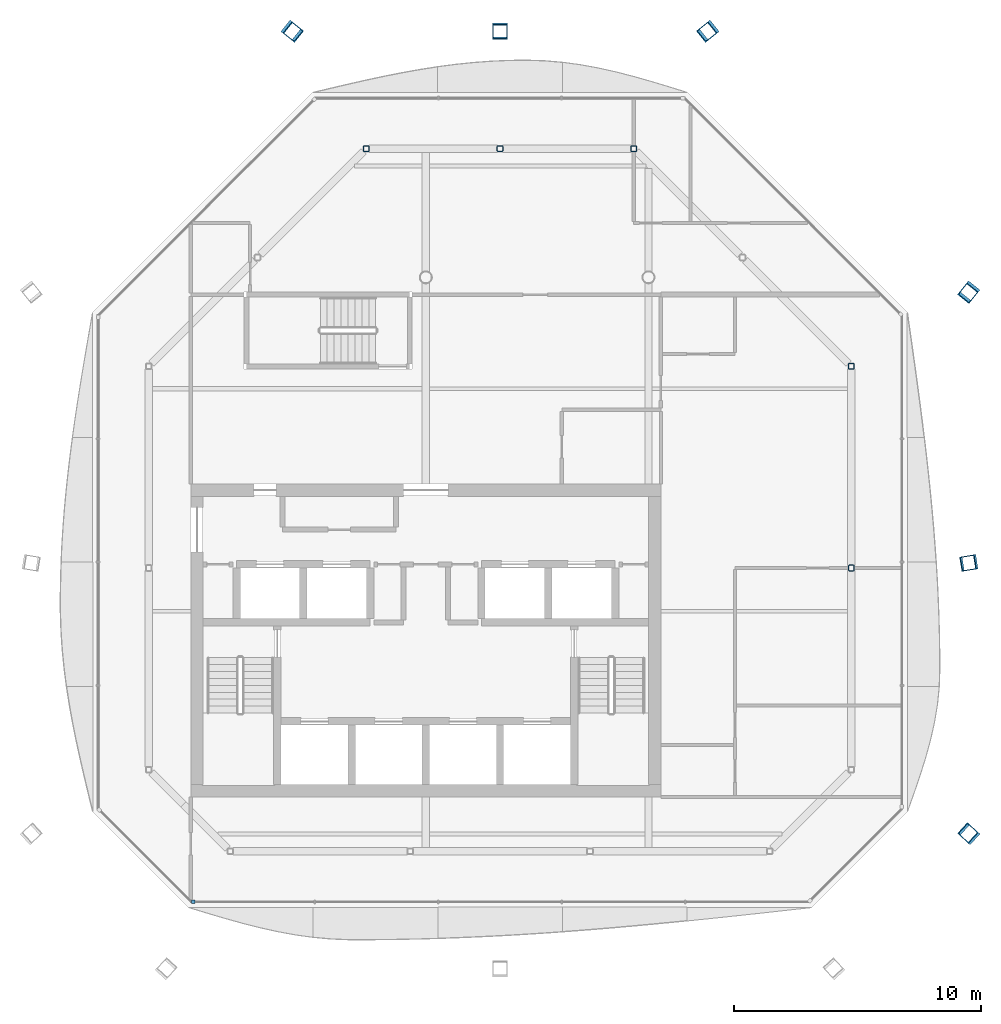
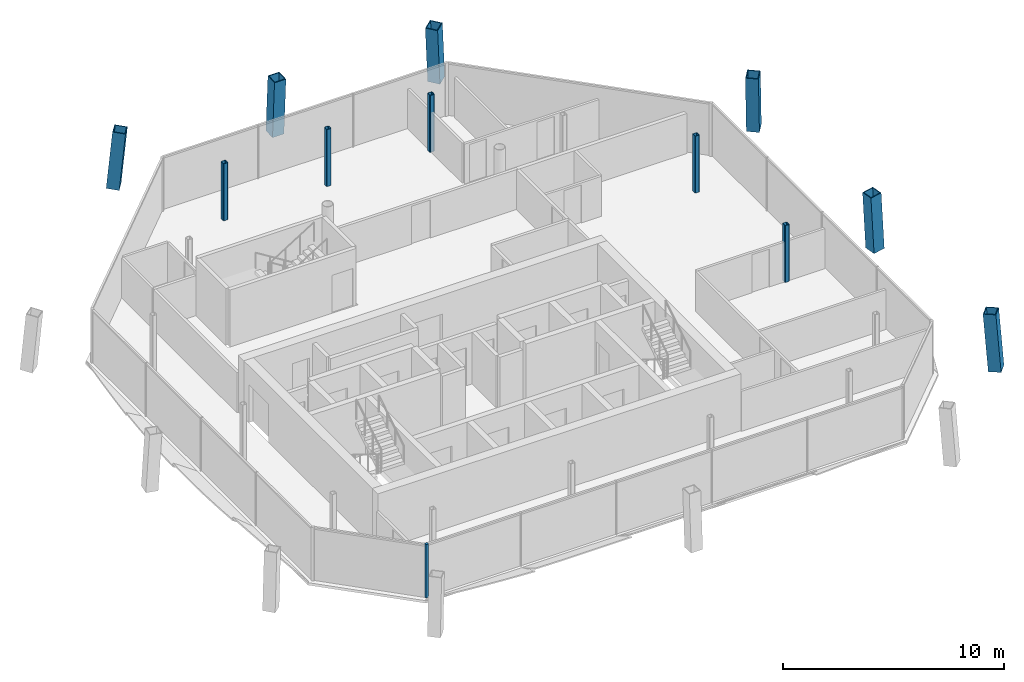
# One storey, part 2 of 14: 11 columns, 1 member, 1 element without a shape of its own.
"""IFC4 building model written with IfcOpenShell, lengths in metres."""

from ifc_helpers import new_model, si_unit, direction, frame, origin, origin_2d, place, context, subcontext, project, spatial, rectangle, hollow_rectangle, extrude, material, material_profile, profile_set, type_object, element, aggregate, save


model = new_model("IFC4")

# Units and contexts
model_context = context("Model", 3, precision=1e-05, world=origin(), true_north=direction((0.0, 1.0)))
body_context = subcontext(model_context, "Body", "Model", "MODEL_VIEW")
ifc_project = project(units=[si_unit("LENGTHUNIT", "METRE"), si_unit("AREAUNIT", "SQUARE_METRE"), si_unit("VOLUMEUNIT", "CUBIC_METRE"), si_unit("PLANEANGLEUNIT", "RADIAN"), si_unit("MASSUNIT", "GRAM", prefix="KILO")], contexts=[model_context])

# Site, building, storey
site_placement = place(None, origin())
site = spatial("IfcSite", under=ifc_project, at=site_placement, CompositionType="ELEMENT")
building_placement = place(site_placement, origin())
building = spatial("IfcBuilding", under=site, at=building_placement, Name="Tskaro Facet Tower", CompositionType="ELEMENT")
storey_placement = place(building_placement, frame((0.0, 0.0, 275.25)))
storey = spatial("IfcBuildingStorey", under=building, at=storey_placement, Name="L73", CompositionType="ELEMENT", Elevation=275.25)

# Columns
ifc_material_1 = material(Name="Steel S355J2", Category="steel")
ifc_material_profile_1 = material_profile(ifc_material_1, hollow_rectangle(XDim=0.60009765625, YDim=0.60009765625, WallThickness=0.0400390625, at=origin_2d()), Name="BOX 600x600x40")
ifc_profile_set_1 = profile_set([ifc_material_profile_1], Name="Steel S355J2")
column_type_1 = type_object("IfcColumnType", Name="BOX 600x600x40 mega column", PredefinedType="COLUMN", material=ifc_profile_set_1)
column_1_placement = place(storey_placement, frame((21.97998046875, -13.52099609375, 0.0), z_axis=(-0.057567325819, 0.052544673231, 0.996957902979), x_axis=(-0.674151818399, -0.73859280104, 0.0)))
element("IfcColumn", 1, at=column_1_placement, inside=storey, type_object=column_type_1, Name="BOX 600x600x40 MC04/6", PredefinedType="COLUMN", context=body_context, shape_type="SweptSolid", body=[
    extrude(hollow_rectangle(XDim=0.60009765625, YDim=0.60009765625, WallThickness=0.0400390625, at=origin_2d()), origin(), (0.0, 0.0, 1.0), 3.159423828125),
])
column_2_placement = place(storey_placement, frame((21.97998046875, -2.541015625, 0.0), z_axis=(-0.057644350039, -0.009517120879, 0.998291817716), x_axis=(0.162895476227, -0.986643331617, 0.0)))
element("IfcColumn", 2, at=column_2_placement, inside=storey, type_object=column_type_1, Name="BOX 600x600x40 MC05/6", PredefinedType="COLUMN", context=body_context, shape_type="SweptSolid", body=[
    extrude(hollow_rectangle(XDim=0.60009765625, YDim=0.60009765625, WallThickness=0.0400390625, at=origin_2d()), origin(), (0.0, 0.0, 1.0), 3.1552734375),
])
for number, where, z_axis, x_axis, name in (
    (3, (21.97998046875, 8.43994140625, 0.0), (-0.057498274883, -0.071776369988, 0.995762070525), (0.780459274208, -0.625206622887, 0.0), "BOX 600x600x40 MC06/6"),
    (4, (11.43994140625, 18.97998046875, 0.0), (-0.071776369988, -0.057498274883, 0.995762070525), (0.625206622887, -0.780459274208, 0.0), "BOX 600x600x40 MC07/6"),
):
    element("IfcColumn", number, at=place(storey_placement, frame(where, z_axis=z_axis, x_axis=x_axis)), inside=storey, type_object=column_type_1, Name=name, PredefinedType="COLUMN", context=body_context, shape_type="SweptSolid", body=[
        extrude(hollow_rectangle(XDim=0.60009765625, YDim=0.60009765625, WallThickness=0.0400390625, at=origin_2d()), origin(), (0.0, 0.0, 1.0), 3.163330078125),
    ])
column_3_placement = place(storey_placement, frame((3.0, 18.97998046875, 0.0), z_axis=(0.0, -0.057646960801, 0.998337031223), x_axis=(1.0, 0.0, 0.0)))
element("IfcColumn", 5, at=column_3_placement, inside=storey, type_object=column_type_1, Name="BOX 600x600x40 MC08/6", PredefinedType="COLUMN", context=body_context, shape_type="SweptSolid", body=[
    extrude(hollow_rectangle(XDim=0.60009765625, YDim=0.60009765625, WallThickness=0.0400390625, at=origin_2d()), origin(), (0.0, 0.0, 1.0), 3.155029296875),
])
column_4_placement = place(storey_placement, frame((-5.43994140625, 18.97998046875, 0.0), z_axis=(0.071776369988, -0.057498274883, 0.995762070525), x_axis=(0.625206622887, 0.780459274208, 0.0)))
element("IfcColumn", 6, at=column_4_placement, inside=storey, type_object=column_type_1, Name="BOX 600x600x40 MC09/6", PredefinedType="COLUMN", context=body_context, shape_type="SweptSolid", body=[
    extrude(hollow_rectangle(XDim=0.60009765625, YDim=0.60009765625, WallThickness=0.0400390625, at=origin_2d()), origin(), (0.0, 0.0, 1.0), 3.163330078125),
])
ifc_material_2 = material(Name="Steel S355J2H", Category="steel")
ifc_material_profile_2 = material_profile(ifc_material_2, hollow_rectangle(XDim=0.25, YDim=0.25, WallThickness=0.02001953125, InnerFilletRadius=0.030029296875, OuterFilletRadius=0.050048828125, at=origin_2d()), Name="SHS 250x250x20")
ifc_profile_set_2 = profile_set([ifc_material_profile_2], Name="Steel S355J2H")
column_type_2 = type_object("IfcColumnType", Name="SHS 250x250x20 ring column", PredefinedType="COLUMN", material=ifc_profile_set_2)
for number, where, z_axis, x_axis, name in (
    (7, (17.199951171875, -2.75, 0.0), (0.0, 0.0, 1.0), (1.0, 0.0, 0.0), "SHS 250x250x20 RE-2/6"),
    (8, (17.199951171875, 5.403076171875, 0.0), (0.0, 0.0, 1.0), (1.0, 0.0, 0.0), "SHS 250x250x20 RNE-1/6"),
    (9, (8.403076171875, 14.199951171875, 0.0), (0.0, 0.0, 1.0), (1.0, 0.0, 0.0), "SHS 250x250x20 RN-1/6"),
    (10, (3.0, 14.199951171875, 0.0), (0.0, 0.0, 1.0), (1.0, 0.0, 0.0), "SHS 250x250x20 RN-2/6"),
    (11, (-2.403076171875, 14.199951171875, 0.0), (0.0, 0.0, 1.0), (1.0, 0.0, 0.0), "SHS 250x250x20 RNW-1/6"),
):
    element("IfcColumn", number, at=place(storey_placement, frame(where, z_axis=z_axis, x_axis=x_axis)), inside=storey, type_object=column_type_2, Name=name, PredefinedType="COLUMN", context=body_context, shape_type="SweptSolid", body=[
        extrude(hollow_rectangle(XDim=0.25, YDim=0.25, WallThickness=0.02001953125, InnerFilletRadius=0.030029296875, OuterFilletRadius=0.050048828125, at=origin_2d()), origin(), (0.0, 0.0, 1.0), 3.14990234375),
    ])

# Curtain wall, member
ifc_material_3 = material(Name="Bronze anodised aluminium 6063-T6", Category="aluminium")
curtain_wall_type = type_object("IfcCurtainWallType", Name="Bronze residence curtain wall (FW3)", PredefinedType="NOTDEFINED", material=ifc_material_3)
curtain_wall_placement = place(storey_placement, origin())
curtain_wall = element("IfcCurtainWall", 12, at=curtain_wall_placement, inside=storey, type_object=curtain_wall_type, Name="FW3 south facet L73", PredefinedType="NOTDEFINED")
ifc_material_profile_3 = material_profile(ifc_material_3, rectangle(XDim=0.139892578125, YDim=0.139892578125, at=origin_2d()), Name="Corner post 140x140")
ifc_profile_set_3 = profile_set([ifc_material_profile_3], Name="Bronze anodised aluminium 6063-T6")
member_type = type_object("IfcMemberType", Name="FW3 bronze corner post 140x140", PredefinedType="MULLION", material=ifc_profile_set_3)
member_placement = place(storey_placement, frame((-9.408935546875, -16.24609375, 0.0), z_axis=(0.0, 0.0, 1.0), x_axis=(1.0, 0.0, 0.0)))
member = element("IfcMember", 13, at=member_placement, type_object=member_type, Name="FW3 south corner post", PredefinedType="MULLION", context=body_context, shape_type="SweptSolid", body=[
    extrude(rectangle(XDim=0.139892578125, YDim=0.139892578125, at=origin_2d()), origin(), (0.0, 0.0, 1.0), 2.949951171875),
])
aggregate(curtain_wall, [member])

save(model, "model.ifc")
